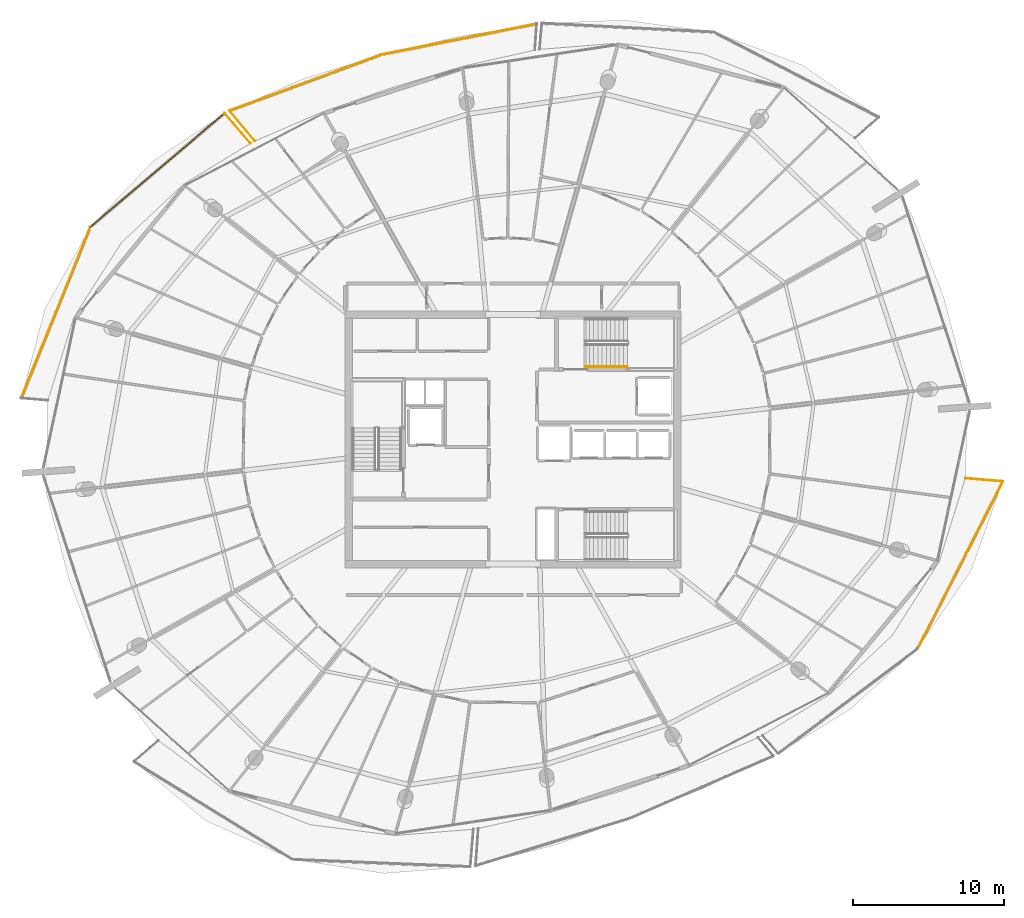
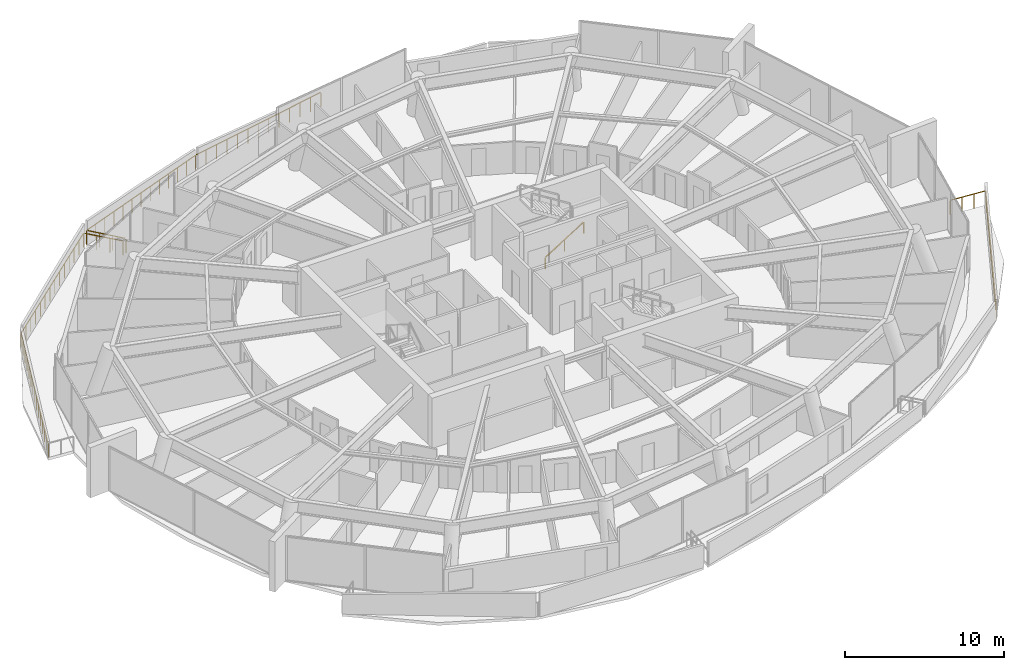
# One storey, part 28 of 30: 9 railings.
"""IFC4 building model written with IfcOpenShell, lengths in metres."""

from ifc_helpers import new_model, si_unit, direction, frame, origin, origin_2d, place, context, subcontext, project, spatial, rectangle, extrude, material, type_object, element, save


model = new_model("IFC4")

# Units and contexts
model_context = context("Model", 3, precision=1e-05, world=origin(), true_north=direction((0.0, 1.0)))
body_context = subcontext(model_context, "Body", "Model", "MODEL_VIEW")
ifc_project = project(units=[si_unit("LENGTHUNIT", "METRE"), si_unit("AREAUNIT", "SQUARE_METRE"), si_unit("VOLUMEUNIT", "CUBIC_METRE"), si_unit("PLANEANGLEUNIT", "RADIAN"), si_unit("MASSUNIT", "GRAM", prefix="KILO")], contexts=[model_context])

# Site, building, storey
site_placement = place(None, origin())
site = spatial("IfcSite", under=ifc_project, at=site_placement, CompositionType="ELEMENT")
building_placement = place(site_placement, origin())
building = spatial("IfcBuilding", under=site, at=building_placement, Name="Kazma Halo Residences", CompositionType="ELEMENT")
storey_placement = place(building_placement, frame((0.0, 0.0, 302.14990234375)))
storey = spatial("IfcBuildingStorey", under=building, at=storey_placement, Name="L76", CompositionType="ELEMENT", Elevation=302.14990234375)

# Railings
ifc_material_1 = material(Name="Aluminium AW-6063 T6 Brushed Cap Rail", Category="aluminium")
railing_type_1 = type_object("IfcRailingType", Name="RLG-BAL-CAP-1120", PredefinedType="BALUSTRADE", material=ifc_material_1)
railing_1_placement = place(storey_placement, frame((49.994384765625, 69.486083984375, 0.0)))
element("IfcRailing", 1, at=railing_1_placement, inside=storey, type_object=railing_type_1, Name="L76 NNW wave balcony guard 2", PredefinedType="BALUSTRADE", context=body_context, shape_type="SweptSolid", body=[
    extrude(rectangle(XDim=0.050048828125, YDim=0.050048828125, at=origin_2d()), frame((-0.041748046875, -0.00830078125, 1.09521484375), z_axis=(-0.980921977936, -0.19440183436, 0.0), x_axis=(0.19440183436, -0.980921977936, 0.0)), (0.0, 0.0, 1.0), 10.378662109375),
    extrude(rectangle(XDim=0.0400390625, YDim=0.0400390625, at=origin_2d()), origin(), (0.0, 0.0, 1.0), 1.05810546875),
    extrude(rectangle(XDim=0.0400390625, YDim=0.0400390625, at=origin_2d()), frame((-0.85546875, -0.16943359375, 0.0)), (0.0, 0.0, 1.0), 1.05810546875),
    extrude(rectangle(XDim=0.0400390625, YDim=0.0400390625, at=origin_2d()), frame((-1.710693359375, -0.339111328125, 0.0)), (0.0, 0.0, 1.0), 1.05810546875),
    extrude(rectangle(XDim=0.0400390625, YDim=0.0400390625, at=origin_2d()), frame((-2.56591796875, -0.508544921875, 0.0)), (0.0, 0.0, 1.0), 1.05810546875),
    extrude(rectangle(XDim=0.0400390625, YDim=0.0400390625, at=origin_2d()), frame((-3.42138671875, -0.677978515625, 0.0)), (0.0, 0.0, 1.0), 1.05810546875),
    extrude(rectangle(XDim=0.0400390625, YDim=0.0400390625, at=origin_2d()), frame((-4.27685546875, -0.84765625, 0.0)), (0.0, 0.0, 1.0), 1.05810546875),
    extrude(rectangle(XDim=0.0400390625, YDim=0.0400390625, at=origin_2d()), frame((-5.132080078125, -1.01708984375, 0.0)), (0.0, 0.0, 1.0), 1.05810546875),
    extrude(rectangle(XDim=0.0400390625, YDim=0.0400390625, at=origin_2d()), frame((-5.9873046875, -1.1865234375, 0.0)), (0.0, 0.0, 1.0), 1.05810546875),
    extrude(rectangle(XDim=0.0400390625, YDim=0.0400390625, at=origin_2d()), frame((-6.8427734375, -1.356201171875, 0.0)), (0.0, 0.0, 1.0), 1.05810546875),
    extrude(rectangle(XDim=0.0400390625, YDim=0.0400390625, at=origin_2d()), frame((-7.6982421875, -1.525634765625, 0.0)), (0.0, 0.0, 1.0), 1.05810546875),
    extrude(rectangle(XDim=0.0400390625, YDim=0.0400390625, at=origin_2d()), frame((-8.553466796875, -1.695068359375, 0.0)), (0.0, 0.0, 1.0), 1.05810546875),
    extrude(rectangle(XDim=0.0400390625, YDim=0.0400390625, at=origin_2d()), frame((-9.40869140625, -1.86474609375, 0.0)), (0.0, 0.0, 1.0), 1.05810546875),
    extrude(rectangle(XDim=0.0400390625, YDim=0.0400390625, at=origin_2d()), frame((-10.26416015625, -2.0341796875, 0.0)), (0.0, 0.0, 1.0), 1.05810546875),
])
railing_2_placement = place(storey_placement, frame((39.730224609375, 67.451904296875, 0.0)))
element("IfcRailing", 2, at=railing_2_placement, inside=storey, type_object=railing_type_1, Name="L76 NNW wave balcony guard 3", PredefinedType="BALUSTRADE", context=body_context, shape_type="SweptSolid", body=[
    extrude(rectangle(XDim=0.050048828125, YDim=0.050048828125, at=origin_2d()), frame((-0.039794921875, -0.0146484375, 1.09521484375), z_axis=(-0.938192314646, -0.34611440412, 0.0), x_axis=(0.34611440412, -0.938192314646, 0.0)), (0.0, 0.0, 1.0), 10.645751953125),
    extrude(rectangle(XDim=0.0400390625, YDim=0.0400390625, at=origin_2d()), origin(), (0.0, 0.0, 1.0), 1.05810546875),
    extrude(rectangle(XDim=0.0400390625, YDim=0.0400390625, at=origin_2d()), frame((-0.8388671875, -0.3095703125, 0.0)), (0.0, 0.0, 1.0), 1.05810546875),
    extrude(rectangle(XDim=0.0400390625, YDim=0.0400390625, at=origin_2d()), frame((-1.677978515625, -0.619140625, 0.0)), (0.0, 0.0, 1.0), 1.05810546875),
    extrude(rectangle(XDim=0.0400390625, YDim=0.0400390625, at=origin_2d()), frame((-2.516845703125, -0.928466796875, 0.0)), (0.0, 0.0, 1.0), 1.05810546875),
    extrude(rectangle(XDim=0.0400390625, YDim=0.0400390625, at=origin_2d()), frame((-3.35595703125, -1.238037109375, 0.0)), (0.0, 0.0, 1.0), 1.05810546875),
    extrude(rectangle(XDim=0.0400390625, YDim=0.0400390625, at=origin_2d()), frame((-4.19482421875, -1.547607421875, 0.0)), (0.0, 0.0, 1.0), 1.05810546875),
    extrude(rectangle(XDim=0.0400390625, YDim=0.0400390625, at=origin_2d()), frame((-5.03369140625, -1.85693359375, 0.0)), (0.0, 0.0, 1.0), 1.05810546875),
    extrude(rectangle(XDim=0.0400390625, YDim=0.0400390625, at=origin_2d()), frame((-5.872802734375, -2.16650390625, 0.0)), (0.0, 0.0, 1.0), 1.05810546875),
    extrude(rectangle(XDim=0.0400390625, YDim=0.0400390625, at=origin_2d()), frame((-6.711669921875, -2.47607421875, 0.0)), (0.0, 0.0, 1.0), 1.05810546875),
    extrude(rectangle(XDim=0.0400390625, YDim=0.0400390625, at=origin_2d()), frame((-7.55078125, -2.78564453125, 0.0)), (0.0, 0.0, 1.0), 1.05810546875),
    extrude(rectangle(XDim=0.0400390625, YDim=0.0400390625, at=origin_2d()), frame((-8.3896484375, -3.09521484375, 0.0)), (0.0, 0.0, 1.0), 1.05810546875),
    extrude(rectangle(XDim=0.0400390625, YDim=0.0400390625, at=origin_2d()), frame((-9.228759765625, -3.404541015625, 0.0)), (0.0, 0.0, 1.0), 1.05810546875),
    extrude(rectangle(XDim=0.0400390625, YDim=0.0400390625, at=origin_2d()), frame((-10.067626953125, -3.714111328125, 0.0)), (0.0, 0.0, 1.0), 1.05810546875),
])
railing_3_placement = place(storey_placement, frame((29.66259765625, 63.73779296875, 0.0)))
element("IfcRailing", 3, at=railing_3_placement, inside=storey, type_object=railing_type_1, Name="L76 NNW wave balcony guard 4", PredefinedType="BALUSTRADE", context=body_context, shape_type="SweptSolid", body=[
    extrude(rectangle(XDim=0.050048828125, YDim=0.050048828125, at=origin_2d()), frame((0.02734375, -0.032470703125, 1.09521484375), z_axis=(0.644828498892, -0.764327290509, 0.0), x_axis=(0.764327290509, 0.644828498892, 0.0)), (0.0, 0.0, 1.0), 2.540283203125),
    extrude(rectangle(XDim=0.0400390625, YDim=0.0400390625, at=origin_2d()), origin(), (0.0, 0.0, 1.0), 1.05810546875),
    extrude(rectangle(XDim=0.0400390625, YDim=0.0400390625, at=origin_2d()), frame((0.564208984375, -0.6689453125, 0.0)), (0.0, 0.0, 1.0), 1.05810546875),
    extrude(rectangle(XDim=0.0400390625, YDim=0.0400390625, at=origin_2d()), frame((1.128662109375, -1.337646484375, 0.0)), (0.0, 0.0, 1.0), 1.05810546875),
    extrude(rectangle(XDim=0.0400390625, YDim=0.0400390625, at=origin_2d()), frame((1.69287109375, -2.006591796875, 0.0)), (0.0, 0.0, 1.0), 1.05810546875),
])
railing_4_placement = place(storey_placement, frame((31.06787109375, 61.58154296875, 0.0)))
element("IfcRailing", 4, at=railing_4_placement, inside=storey, type_object=railing_type_1, Name="L76 NW wave balcony guard 1", PredefinedType="BALUSTRADE", context=body_context, shape_type="SweptSolid", body=[
    extrude(rectangle(XDim=0.050048828125, YDim=0.050048828125, at=origin_2d()), frame((-0.02783203125, 0.0322265625, 1.09521484375), z_axis=(-0.654057200306, 0.756445093002, 0.0), x_axis=(-0.756445093002, -0.654057200306, 0.0)), (0.0, 0.0, 1.0), 2.544921875),
    extrude(rectangle(XDim=0.0400390625, YDim=0.0400390625, at=origin_2d()), origin(), (0.0, 0.0, 1.0), 1.05810546875),
    extrude(rectangle(XDim=0.0400390625, YDim=0.0400390625, at=origin_2d()), frame((-0.573486328125, 0.6630859375, 0.0)), (0.0, 0.0, 1.0), 1.05810546875),
    extrude(rectangle(XDim=0.0400390625, YDim=0.0400390625, at=origin_2d()), frame((-1.146728515625, 1.326416015625, 0.0)), (0.0, 0.0, 1.0), 1.05810546875),
    extrude(rectangle(XDim=0.0400390625, YDim=0.0400390625, at=origin_2d()), frame((-1.72021484375, 1.989501953125, 0.0)), (0.0, 0.0, 1.0), 1.05810546875),
])
railing_5_placement = place(storey_placement, frame((29.34765625, 63.571044921875, 0.0)))
element("IfcRailing", 5, at=railing_5_placement, inside=storey, type_object=railing_type_1, Name="L76 NW wave balcony guard 2", PredefinedType="BALUSTRADE", context=body_context, shape_type="SweptSolid", body=[
    extrude(rectangle(XDim=0.050048828125, YDim=0.050048828125, at=origin_2d()), frame((-0.032470703125, -0.027587890625, 1.09521484375), z_axis=(-0.762726414498, -0.646721282028, 0.0), x_axis=(0.646721282028, -0.762726414498, 0.0)), (0.0, 0.0, 1.0), 11.570068359375),
    extrude(rectangle(XDim=0.0400390625, YDim=0.0400390625, at=origin_2d()), origin(), (0.0, 0.0, 1.0), 1.05810546875),
    extrude(rectangle(XDim=0.0400390625, YDim=0.0400390625, at=origin_2d()), frame((-0.683837890625, -0.579833984375, 0.0)), (0.0, 0.0, 1.0), 1.05810546875),
    extrude(rectangle(XDim=0.0400390625, YDim=0.0400390625, at=origin_2d()), frame((-1.36767578125, -1.15966796875, 0.0)), (0.0, 0.0, 1.0), 1.05810546875),
    extrude(rectangle(XDim=0.0400390625, YDim=0.0400390625, at=origin_2d()), frame((-2.051513671875, -1.739501953125, 0.0)), (0.0, 0.0, 1.0), 1.05810546875),
    extrude(rectangle(XDim=0.0400390625, YDim=0.0400390625, at=origin_2d()), frame((-2.7353515625, -2.3193359375, 0.0)), (0.0, 0.0, 1.0), 1.05810546875),
    extrude(rectangle(XDim=0.0400390625, YDim=0.0400390625, at=origin_2d()), frame((-3.419189453125, -2.899169921875, 0.0)), (0.0, 0.0, 1.0), 1.05810546875),
    extrude(rectangle(XDim=0.0400390625, YDim=0.0400390625, at=origin_2d()), frame((-4.10302734375, -3.47900390625, 0.0)), (0.0, 0.0, 1.0), 1.05810546875),
    extrude(rectangle(XDim=0.0400390625, YDim=0.0400390625, at=origin_2d()), frame((-4.78662109375, -4.05859375, 0.0)), (0.0, 0.0, 1.0), 1.05810546875),
    extrude(rectangle(XDim=0.0400390625, YDim=0.0400390625, at=origin_2d()), frame((-5.470458984375, -4.638427734375, 0.0)), (0.0, 0.0, 1.0), 1.05810546875),
    extrude(rectangle(XDim=0.0400390625, YDim=0.0400390625, at=origin_2d()), frame((-6.154296875, -5.21826171875, 0.0)), (0.0, 0.0, 1.0), 1.05810546875),
    extrude(rectangle(XDim=0.0400390625, YDim=0.0400390625, at=origin_2d()), frame((-6.838134765625, -5.798095703125, 0.0)), (0.0, 0.0, 1.0), 1.05810546875),
    extrude(rectangle(XDim=0.0400390625, YDim=0.0400390625, at=origin_2d()), frame((-7.52197265625, -6.3779296875, 0.0)), (0.0, 0.0, 1.0), 1.05810546875),
    extrude(rectangle(XDim=0.0400390625, YDim=0.0400390625, at=origin_2d()), frame((-8.205810546875, -6.957763671875, 0.0)), (0.0, 0.0, 1.0), 1.05810546875),
    extrude(rectangle(XDim=0.0400390625, YDim=0.0400390625, at=origin_2d()), frame((-8.8896484375, -7.53759765625, 0.0)), (0.0, 0.0, 1.0), 1.05810546875),
])
railing_6_placement = place(storey_placement, frame((20.4580078125, 56.033447265625, 0.0)))
element("IfcRailing", 6, at=railing_6_placement, inside=storey, type_object=railing_type_1, Name="L76 NW wave balcony guard 3", PredefinedType="BALUSTRADE", context=body_context, shape_type="SweptSolid", body=[
    extrude(rectangle(XDim=0.050048828125, YDim=0.050048828125, at=origin_2d()), frame((-0.015869140625, -0.03955078125, 1.09521484375), z_axis=(-0.374095261737, -0.927390281999, 0.0), x_axis=(0.927390281999, -0.374095261737, 0.0)), (0.0, 0.0, 1.0), 12.109619140625),
    extrude(rectangle(XDim=0.0400390625, YDim=0.0400390625, at=origin_2d()), origin(), (0.0, 0.0, 1.0), 1.05810546875),
    extrude(rectangle(XDim=0.0400390625, YDim=0.0400390625, at=origin_2d()), frame((-0.325927734375, -0.807861328125, 0.0)), (0.0, 0.0, 1.0), 1.05810546875),
    extrude(rectangle(XDim=0.0400390625, YDim=0.0400390625, at=origin_2d()), frame((-0.651611328125, -1.61572265625, 0.0)), (0.0, 0.0, 1.0), 1.05810546875),
    extrude(rectangle(XDim=0.0400390625, YDim=0.0400390625, at=origin_2d()), frame((-0.9775390625, -2.42333984375, 0.0)), (0.0, 0.0, 1.0), 1.05810546875),
    extrude(rectangle(XDim=0.0400390625, YDim=0.0400390625, at=origin_2d()), frame((-1.303466796875, -3.231201171875, 0.0)), (0.0, 0.0, 1.0), 1.05810546875),
    extrude(rectangle(XDim=0.0400390625, YDim=0.0400390625, at=origin_2d()), frame((-1.62939453125, -4.0390625, 0.0)), (0.0, 0.0, 1.0), 1.05810546875),
    extrude(rectangle(XDim=0.0400390625, YDim=0.0400390625, at=origin_2d()), frame((-1.955078125, -4.846923828125, 0.0)), (0.0, 0.0, 1.0), 1.05810546875),
    extrude(rectangle(XDim=0.0400390625, YDim=0.0400390625, at=origin_2d()), frame((-2.281005859375, -5.65478515625, 0.0)), (0.0, 0.0, 1.0), 1.05810546875),
    extrude(rectangle(XDim=0.0400390625, YDim=0.0400390625, at=origin_2d()), frame((-2.60693359375, -6.46240234375, 0.0)), (0.0, 0.0, 1.0), 1.05810546875),
    extrude(rectangle(XDim=0.0400390625, YDim=0.0400390625, at=origin_2d()), frame((-2.9326171875, -7.270263671875, 0.0)), (0.0, 0.0, 1.0), 1.05810546875),
    extrude(rectangle(XDim=0.0400390625, YDim=0.0400390625, at=origin_2d()), frame((-3.258544921875, -8.078125, 0.0)), (0.0, 0.0, 1.0), 1.05810546875),
    extrude(rectangle(XDim=0.0400390625, YDim=0.0400390625, at=origin_2d()), frame((-3.58447265625, -8.885986328125, 0.0)), (0.0, 0.0, 1.0), 1.05810546875),
    extrude(rectangle(XDim=0.0400390625, YDim=0.0400390625, at=origin_2d()), frame((-3.910400390625, -9.693603515625, 0.0)), (0.0, 0.0, 1.0), 1.05810546875),
    extrude(rectangle(XDim=0.0400390625, YDim=0.0400390625, at=origin_2d()), frame((-4.236083984375, -10.50146484375, 0.0)), (0.0, 0.0, 1.0), 1.05810546875),
    extrude(rectangle(XDim=0.0400390625, YDim=0.0400390625, at=origin_2d()), frame((-4.56201171875, -11.309326171875, 0.0)), (0.0, 0.0, 1.0), 1.05810546875),
])
railing_7_placement = place(storey_placement, frame((75.1875, 28.147216796875, 0.0)))
element("IfcRailing", 7, at=railing_7_placement, inside=storey, type_object=railing_type_1, Name="L76 SE wave balcony guard 3", PredefinedType="BALUSTRADE", context=body_context, shape_type="SweptSolid", body=[
    extrude(rectangle(XDim=0.050048828125, YDim=0.050048828125, at=origin_2d()), frame((0.019287109375, 0.037841796875, 1.09521484375), z_axis=(0.453751445386, 0.891128288077, 0.0), x_axis=(-0.891128288077, 0.453751445386, 0.0)), (0.0, 0.0, 1.0), 12.334716796875),
    extrude(rectangle(XDim=0.0400390625, YDim=0.0400390625, at=origin_2d()), origin(), (0.0, 0.0, 1.0), 1.05810546875),
    extrude(rectangle(XDim=0.0400390625, YDim=0.0400390625, at=origin_2d()), frame((0.402587890625, 0.79052734375, 0.0)), (0.0, 0.0, 1.0), 1.05810546875),
    extrude(rectangle(XDim=0.0400390625, YDim=0.0400390625, at=origin_2d()), frame((0.80517578125, 1.5810546875, 0.0)), (0.0, 0.0, 1.0), 1.05810546875),
    extrude(rectangle(XDim=0.0400390625, YDim=0.0400390625, at=origin_2d()), frame((1.20751953125, 2.37158203125, 0.0)), (0.0, 0.0, 1.0), 1.05810546875),
    extrude(rectangle(XDim=0.0400390625, YDim=0.0400390625, at=origin_2d()), frame((1.610107421875, 3.162109375, 0.0)), (0.0, 0.0, 1.0), 1.05810546875),
    extrude(rectangle(XDim=0.0400390625, YDim=0.0400390625, at=origin_2d()), frame((2.0126953125, 3.95263671875, 0.0)), (0.0, 0.0, 1.0), 1.05810546875),
    extrude(rectangle(XDim=0.0400390625, YDim=0.0400390625, at=origin_2d()), frame((2.415283203125, 4.7431640625, 0.0)), (0.0, 0.0, 1.0), 1.05810546875),
    extrude(rectangle(XDim=0.0400390625, YDim=0.0400390625, at=origin_2d()), frame((2.81787109375, 5.53369140625, 0.0)), (0.0, 0.0, 1.0), 1.05810546875),
    extrude(rectangle(XDim=0.0400390625, YDim=0.0400390625, at=origin_2d()), frame((3.22021484375, 6.324462890625, 0.0)), (0.0, 0.0, 1.0), 1.05810546875),
    extrude(rectangle(XDim=0.0400390625, YDim=0.0400390625, at=origin_2d()), frame((3.622802734375, 7.114990234375, 0.0)), (0.0, 0.0, 1.0), 1.05810546875),
    extrude(rectangle(XDim=0.0400390625, YDim=0.0400390625, at=origin_2d()), frame((4.025390625, 7.905517578125, 0.0)), (0.0, 0.0, 1.0), 1.05810546875),
    extrude(rectangle(XDim=0.0400390625, YDim=0.0400390625, at=origin_2d()), frame((4.427978515625, 8.696044921875, 0.0)), (0.0, 0.0, 1.0), 1.05810546875),
    extrude(rectangle(XDim=0.0400390625, YDim=0.0400390625, at=origin_2d()), frame((4.830322265625, 9.486572265625, 0.0)), (0.0, 0.0, 1.0), 1.05810546875),
    extrude(rectangle(XDim=0.0400390625, YDim=0.0400390625, at=origin_2d()), frame((5.23291015625, 10.277099609375, 0.0)), (0.0, 0.0, 1.0), 1.05810546875),
    extrude(rectangle(XDim=0.0400390625, YDim=0.0400390625, at=origin_2d()), frame((5.635498046875, 11.067626953125, 0.0)), (0.0, 0.0, 1.0), 1.05810546875),
])
railing_8_placement = place(storey_placement, frame((80.822998046875, 39.21484375, 0.0)))
element("IfcRailing", 8, at=railing_8_placement, inside=storey, type_object=railing_type_1, Name="L76 SE wave balcony guard 4", PredefinedType="BALUSTRADE", context=body_context, shape_type="SweptSolid", body=[
    extrude(rectangle(XDim=0.050048828125, YDim=0.050048828125, at=origin_2d()), frame((-0.04248046875, 0.003662109375, 1.09521484375), z_axis=(-0.996414964781, 0.084600342552, 0.0), x_axis=(-0.084600342552, -0.996414964781, 0.0)), (0.0, 0.0, 1.0), 2.396728515625),
    extrude(rectangle(XDim=0.0400390625, YDim=0.0400390625, at=origin_2d()), origin(), (0.0, 0.0, 1.0), 1.05810546875),
    extrude(rectangle(XDim=0.0400390625, YDim=0.0400390625, at=origin_2d()), frame((-0.82421875, 0.070068359375, 0.0)), (0.0, 0.0, 1.0), 1.05810546875),
    extrude(rectangle(XDim=0.0400390625, YDim=0.0400390625, at=origin_2d()), frame((-1.648681640625, 0.139892578125, 0.0)), (0.0, 0.0, 1.0), 1.05810546875),
    extrude(rectangle(XDim=0.0400390625, YDim=0.0400390625, at=origin_2d()), frame((-2.472900390625, 0.2099609375, 0.0)), (0.0, 0.0, 1.0), 1.05810546875),
])
ifc_material_2 = material(Name="Brushed Stainless Steel", Category="steel")
railing_type_2 = type_object("IfcRailingType", Name="RLG-STAIR-HND-900", PredefinedType="HANDRAIL", material=ifc_material_2)
railing_9_placement = place(storey_placement, frame((53.199951171875, 46.800048828125, 0.175048828125)))
element("IfcRailing", 9, at=railing_9_placement, inside=storey, type_object=railing_type_2, Name="L76 ST-02 stair handrail 1", PredefinedType="HANDRAIL", context=body_context, shape_type="SweptSolid", body=[
    extrude(rectangle(XDim=0.050048828125, YDim=0.050048828125, at=origin_2d()), frame((0.0361328125, 0.0, 0.8974609375), z_axis=(0.848002457836, 0.0, 0.529992293815), x_axis=(0.0, 1.0, 0.0)), (0.0, 0.0, 1.0), 3.216796875),
    extrude(rectangle(XDim=0.0400390625, YDim=0.0400390625, at=origin_2d()), origin(), (0.0, 0.0, 1.0), 0.837890625),
    extrude(rectangle(XDim=0.0400390625, YDim=0.0400390625, at=origin_2d()), frame((1.39990234375, 0.0, 0.875)), (0.0, 0.0, 1.0), 0.837890625),
    extrude(rectangle(XDim=0.0400390625, YDim=0.0400390625, at=origin_2d()), frame((2.800048828125, 0.0, 1.75)), (0.0, 0.0, 1.0), 0.837890625),
])

save(model, "model.ifc")
